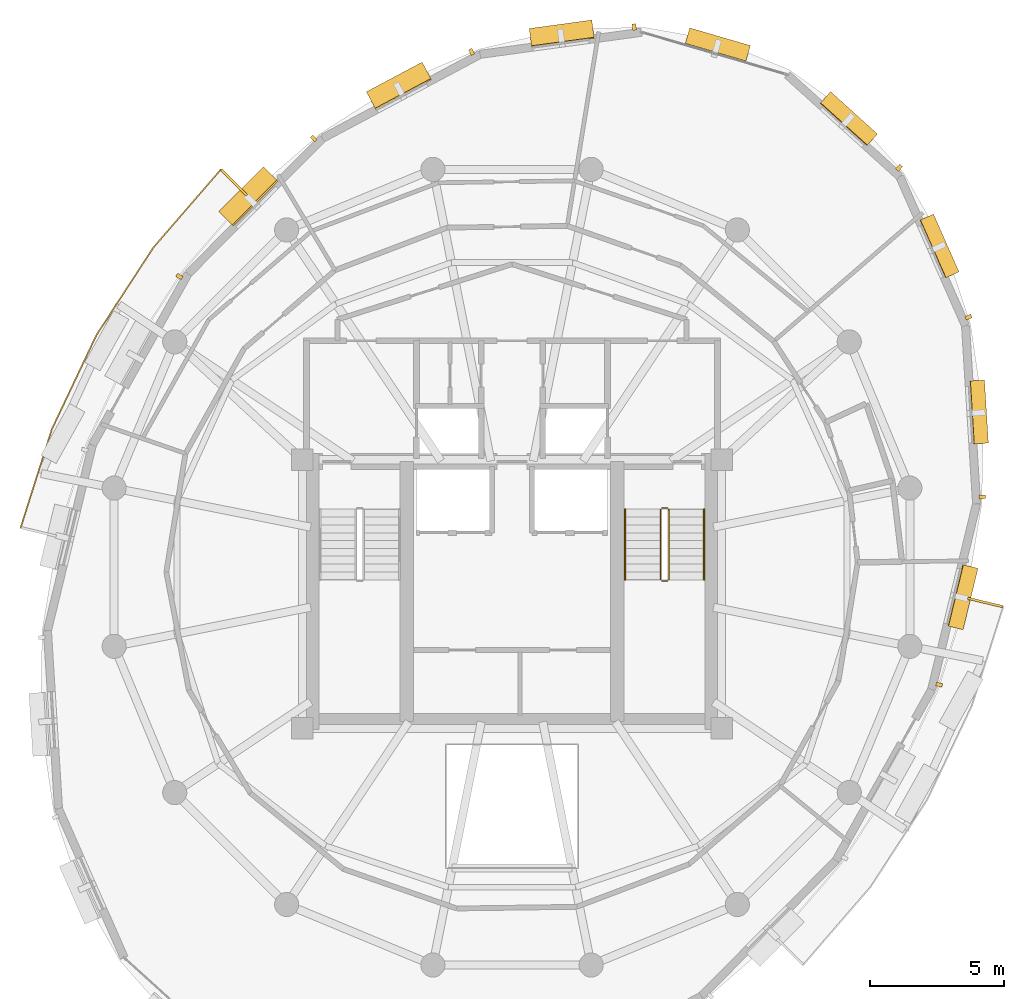
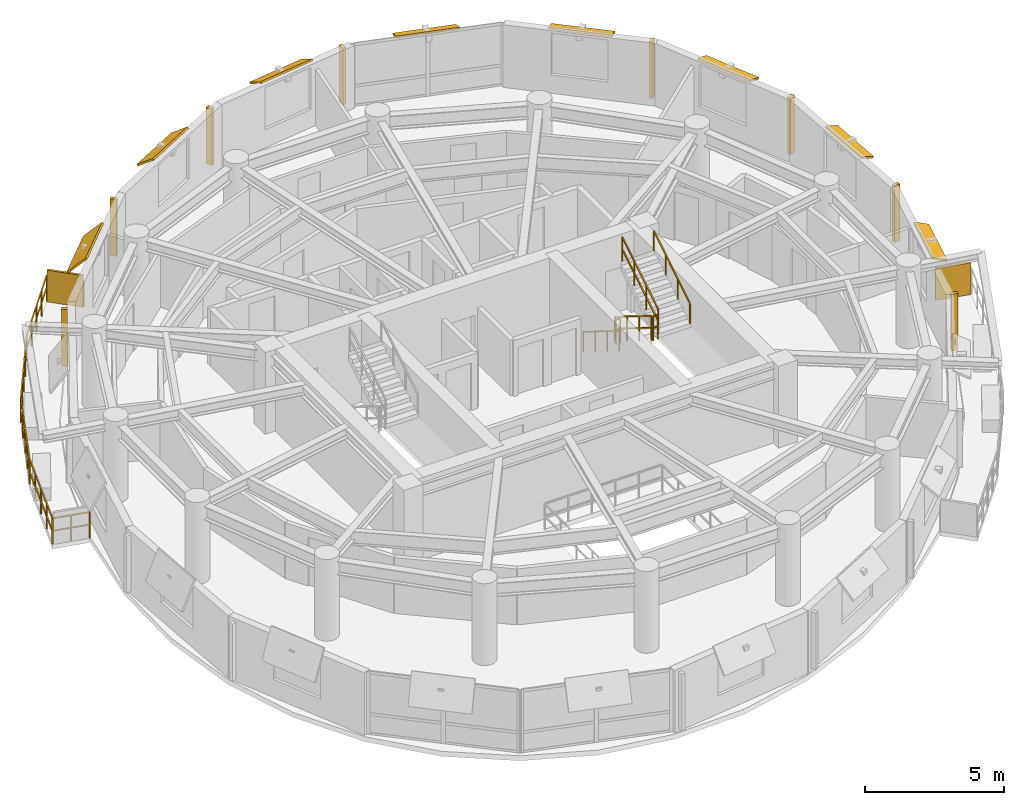
# One storey, part 11 of 11: 18 shading devices, 7 railings.
"""IFC4 building model written with IfcOpenShell, lengths in metres."""

from ifc_helpers import new_model, si_unit, direction, frame, origin, origin_2d, place, context, subcontext, project, spatial, rectangle, extrude, material, layer, layer_set, type_object, element, save


model = new_model("IFC4")

# Units and contexts
model_context = context("Model", 3, precision=1e-05, world=origin(), true_north=direction((0.0, 1.0)))
body_context = subcontext(model_context, "Body", "Model", "MODEL_VIEW")
ifc_project = project(units=[si_unit("LENGTHUNIT", "METRE"), si_unit("AREAUNIT", "SQUARE_METRE"), si_unit("VOLUMEUNIT", "CUBIC_METRE"), si_unit("PLANEANGLEUNIT", "RADIAN"), si_unit("MASSUNIT", "GRAM", prefix="KILO"), si_unit("THERMODYNAMICTEMPERATUREUNIT", "KELVIN"), si_unit("POWERUNIT", "WATT")], contexts=[model_context])

# Site, building, storey
site_placement = place(None, origin())
site = spatial("IfcSite", under=ifc_project, at=site_placement, CompositionType="ELEMENT")
building_placement = place(site_placement, origin())
building = spatial("IfcBuilding", under=site, at=building_placement, Name="Ocrelia Relay Tower", CompositionType="ELEMENT")
storey_placement = place(building_placement, frame((0.0, 0.0, 280.800048828125)))
storey = spatial("IfcBuildingStorey", under=building, at=storey_placement, Name="L70", CompositionType="ELEMENT", Elevation=280.800048828125)

# Railings
ifc_material_1 = material(Name="Steel S355 balustrade", Category="steel")
railing_type_1 = type_object("IfcRailingType", Name="RL-EXT-GUARD-1150", PredefinedType="GUARDRAIL", material=ifc_material_1)
railing_1_placement = place(storey_placement, frame((17.06298828125, 27.150146484375, 0.0)))
element("IfcRailing", 1, at=railing_1_placement, inside=storey, type_object=railing_type_1, Name="L70 Loggia Balcony Guard Rail B1", PredefinedType="GUARDRAIL", context=body_context, shape_type="SweptSolid", body=[
    extrude(rectangle(XDim=0.048095703125, YDim=0.048095703125, at=origin_2d()), frame((0.0, 0.0, 1.1259765625), z_axis=(-0.972307733932, 0.233704237309, 0.0), x_axis=(-0.233704237309, -0.972307733932, 0.0)), (0.0, 0.0, 1.0), 1.3935546875),
    extrude(rectangle(XDim=0.048095703125, YDim=0.048095703125, at=origin_2d()), frame((0.0, 0.0, 0.574951171875), z_axis=(-0.972307733932, 0.233704237309, 0.0), x_axis=(-0.233704237309, -0.972307733932, 0.0)), (0.0, 0.0, 1.0), 1.3935546875),
    extrude(rectangle(XDim=0.048095703125, YDim=0.048095703125, at=origin_2d()), frame((-1.35498046875, 0.32568359375, 1.1259765625), z_axis=(0.301624066086, 0.953426936245, 0.0), x_axis=(-0.953426936245, 0.301624066086, 0.0)), (0.0, 0.0, 1.0), 1.920654296875),
    extrude(rectangle(XDim=0.048095703125, YDim=0.048095703125, at=origin_2d()), frame((-1.35498046875, 0.32568359375, 0.574951171875), z_axis=(0.301624066086, 0.953426936245, 0.0), x_axis=(-0.953426936245, 0.301624066086, 0.0)), (0.0, 0.0, 1.0), 1.920654296875),
    extrude(rectangle(XDim=0.048095703125, YDim=0.048095703125, at=origin_2d()), frame((-0.775634765625, 2.156982421875, 1.1259765625), z_axis=(0.301739602294, 0.953390377761, 0.0), x_axis=(-0.953390377761, 0.301739602294, 0.0)), (0.0, 0.0, 1.0), 1.9208984375),
    extrude(rectangle(XDim=0.048095703125, YDim=0.048095703125, at=origin_2d()), frame((-0.775634765625, 2.156982421875, 0.574951171875), z_axis=(0.301739602294, 0.953390377761, 0.0), x_axis=(-0.953390377761, 0.301739602294, 0.0)), (0.0, 0.0, 1.0), 1.9208984375),
    extrude(rectangle(XDim=0.048095703125, YDim=0.048095703125, at=origin_2d()), frame((-0.196044921875, 3.98828125, 1.1259765625), z_axis=(0.428170151746, 0.90369813608, 0.0), x_axis=(-0.90369813608, 0.428170151746, 0.0)), (0.0, 0.0, 1.0), 3.8818359375),
    extrude(rectangle(XDim=0.048095703125, YDim=0.048095703125, at=origin_2d()), frame((-0.196044921875, 3.98828125, 0.574951171875), z_axis=(0.428170151746, 0.90369813608, 0.0), x_axis=(-0.90369813608, 0.428170151746, 0.0)), (0.0, 0.0, 1.0), 3.8818359375),
    extrude(rectangle(XDim=0.048095703125, YDim=0.048095703125, at=origin_2d()), frame((1.466064453125, 7.496337890625, 1.1259765625), z_axis=(0.545333158322, 0.838219390395, 0.0), x_axis=(-0.838219390395, 0.545333158322, 0.0)), (0.0, 0.0, 1.0), 3.8818359375),
    extrude(rectangle(XDim=0.048095703125, YDim=0.048095703125, at=origin_2d()), frame((1.466064453125, 7.496337890625, 0.574951171875), z_axis=(0.545333158322, 0.838219390395, 0.0), x_axis=(-0.838219390395, 0.545333158322, 0.0)), (0.0, 0.0, 1.0), 3.8818359375),
    extrude(rectangle(XDim=0.048095703125, YDim=0.048095703125, at=origin_2d()), frame((3.5830078125, 10.750244140625, 1.1259765625), z_axis=(0.654020237008, 0.756477051591, 0.0), x_axis=(-0.756477051591, 0.654020237008, 0.0)), (0.0, 0.0, 1.0), 1.920654296875),
    extrude(rectangle(XDim=0.048095703125, YDim=0.048095703125, at=origin_2d()), frame((3.5830078125, 10.750244140625, 0.574951171875), z_axis=(0.654020237008, 0.756477051591, 0.0), x_axis=(-0.756477051591, 0.654020237008, 0.0)), (0.0, 0.0, 1.0), 1.920654296875),
    extrude(rectangle(XDim=0.048095703125, YDim=0.048095703125, at=origin_2d()), frame((4.839111328125, 12.203125, 1.1259765625), z_axis=(0.65395734918, 0.75653141736, 0.0), x_axis=(-0.75653141736, 0.65395734918, 0.0)), (0.0, 0.0, 1.0), 1.920654296875),
    extrude(rectangle(XDim=0.048095703125, YDim=0.048095703125, at=origin_2d()), frame((4.839111328125, 12.203125, 0.574951171875), z_axis=(0.65395734918, 0.75653141736, 0.0), x_axis=(-0.75653141736, 0.65395734918, 0.0)), (0.0, 0.0, 1.0), 1.920654296875),
    extrude(rectangle(XDim=0.048095703125, YDim=0.048095703125, at=origin_2d()), frame((6.09521484375, 13.65625, 1.1259765625), z_axis=(0.70850698851, -0.705703795677, 0.0), x_axis=(0.705703795677, 0.70850698851, 0.0)), (0.0, 0.0, 1.0), 1.3935546875),
    extrude(rectangle(XDim=0.048095703125, YDim=0.048095703125, at=origin_2d()), frame((6.09521484375, 13.65625, 0.574951171875), z_axis=(0.70850698851, -0.705703795677, 0.0), x_axis=(0.705703795677, 0.70850698851, 0.0)), (0.0, 0.0, 1.0), 1.3935546875),
    extrude(rectangle(XDim=0.0419921875, YDim=0.0419921875, at=origin_2d()), origin(), (0.0, 0.0, 1.0), 1.101806640625),
    extrude(rectangle(XDim=0.0419921875, YDim=0.0419921875, at=origin_2d()), frame((-0.677490234375, 0.162841796875, 0.0)), (0.0, 0.0, 1.0), 1.101806640625),
    extrude(rectangle(XDim=0.0419921875, YDim=0.0419921875, at=origin_2d()), frame((-1.35498046875, 0.32568359375, 0.0)), (0.0, 0.0, 1.0), 1.101806640625),
    extrude(rectangle(XDim=0.0419921875, YDim=0.0419921875, at=origin_2d()), frame((-1.0654296875, 1.2412109375, 0.0)), (0.0, 0.0, 1.0), 1.101806640625),
    extrude(rectangle(XDim=0.0419921875, YDim=0.0419921875, at=origin_2d()), frame((-0.775634765625, 2.156982421875, 0.0)), (0.0, 0.0, 1.0), 1.101806640625),
    extrude(rectangle(XDim=0.0419921875, YDim=0.0419921875, at=origin_2d()), frame((-0.48583984375, 3.07275390625, 0.0)), (0.0, 0.0, 1.0), 1.101806640625),
    extrude(rectangle(XDim=0.0419921875, YDim=0.0419921875, at=origin_2d()), frame((-0.196044921875, 3.98828125, 0.0)), (0.0, 0.0, 1.0), 1.101806640625),
    extrude(rectangle(XDim=0.0419921875, YDim=0.0419921875, at=origin_2d()), frame((0.219482421875, 4.865234375, 0.0)), (0.0, 0.0, 1.0), 1.101806640625),
    extrude(rectangle(XDim=0.0419921875, YDim=0.0419921875, at=origin_2d()), frame((0.635009765625, 5.7421875, 0.0)), (0.0, 0.0, 1.0), 1.101806640625),
    extrude(rectangle(XDim=0.0419921875, YDim=0.0419921875, at=origin_2d()), frame((1.050537109375, 6.619384765625, 0.0)), (0.0, 0.0, 1.0), 1.101806640625),
    extrude(rectangle(XDim=0.0419921875, YDim=0.0419921875, at=origin_2d()), frame((1.466064453125, 7.496337890625, 0.0)), (0.0, 0.0, 1.0), 1.101806640625),
    extrude(rectangle(XDim=0.0419921875, YDim=0.0419921875, at=origin_2d()), frame((1.995361328125, 8.309814453125, 0.0)), (0.0, 0.0, 1.0), 1.101806640625),
    extrude(rectangle(XDim=0.0419921875, YDim=0.0419921875, at=origin_2d()), frame((2.5244140625, 9.123291015625, 0.0)), (0.0, 0.0, 1.0), 1.101806640625),
    extrude(rectangle(XDim=0.0419921875, YDim=0.0419921875, at=origin_2d()), frame((3.0537109375, 9.936767578125, 0.0)), (0.0, 0.0, 1.0), 1.101806640625),
    extrude(rectangle(XDim=0.0419921875, YDim=0.0419921875, at=origin_2d()), frame((3.5830078125, 10.750244140625, 0.0)), (0.0, 0.0, 1.0), 1.101806640625),
    extrude(rectangle(XDim=0.0419921875, YDim=0.0419921875, at=origin_2d()), frame((4.2109375, 11.4765625, 0.0)), (0.0, 0.0, 1.0), 1.101806640625),
    extrude(rectangle(XDim=0.0419921875, YDim=0.0419921875, at=origin_2d()), frame((4.839111328125, 12.203125, 0.0)), (0.0, 0.0, 1.0), 1.101806640625),
    extrude(rectangle(XDim=0.0419921875, YDim=0.0419921875, at=origin_2d()), frame((5.46728515625, 12.9296875, 0.0)), (0.0, 0.0, 1.0), 1.101806640625),
    extrude(rectangle(XDim=0.0419921875, YDim=0.0419921875, at=origin_2d()), frame((6.09521484375, 13.65625, 0.0)), (0.0, 0.0, 1.0), 1.101806640625),
    extrude(rectangle(XDim=0.0419921875, YDim=0.0419921875, at=origin_2d()), frame((6.5888671875, 13.16455078125, 0.0)), (0.0, 0.0, 1.0), 1.101806640625),
    extrude(rectangle(XDim=0.0419921875, YDim=0.0419921875, at=origin_2d()), frame((7.08251953125, 12.6728515625, 0.0)), (0.0, 0.0, 1.0), 1.101806640625),
])
railing_type_2 = type_object("IfcRailingType", Name="RL-STAIR-GUARD", PredefinedType="GUARDRAIL", material=ifc_material_1)
railing_2_placement = place(storey_placement, frame((39.530029296875, 28.14990234375, 0.179931640625)))
element("IfcRailing", 2, at=railing_2_placement, inside=storey, type_object=railing_type_2, Name="L70 ST2 stair guard 1", PredefinedType="GUARDRAIL", context=body_context, shape_type="SweptSolid", body=[
    extrude(rectangle(XDim=0.048095703125, YDim=0.048095703125, at=origin_2d()), frame((0.0, 0.0, 1.076171875), z_axis=(0.0, -0.849610693518, 0.52741034258), x_axis=(1.0, 0.0, 0.0)), (0.0, 0.0, 1.0), 3.07177734375),
    extrude(rectangle(XDim=0.048095703125, YDim=0.048095703125, at=origin_2d()), frame((0.0, 0.0, 0.550048828125), z_axis=(0.0, -0.849610693518, 0.52741034258), x_axis=(1.0, 0.0, 0.0)), (0.0, 0.0, 1.0), 3.07177734375),
    extrude(rectangle(XDim=0.0419921875, YDim=0.0419921875, at=origin_2d()), origin(), (0.0, 0.0, 1.0), 1.052001953125),
    extrude(rectangle(XDim=0.0419921875, YDim=0.0419921875, at=origin_2d()), frame((0.0, -0.869873046875, 0.5400390625)), (0.0, 0.0, 1.0), 1.052001953125),
    extrude(rectangle(XDim=0.0419921875, YDim=0.0419921875, at=origin_2d()), frame((0.0, -1.739990234375, 1.080078125)), (0.0, 0.0, 1.0), 1.052001953125),
    extrude(rectangle(XDim=0.0419921875, YDim=0.0419921875, at=origin_2d()), frame((0.0, -2.60986328125, 1.6201171875)), (0.0, 0.0, 1.0), 1.052001953125),
])
railing_3_placement = place(storey_placement, frame((39.580078125, 25.489990234375, 1.800048828125)))
element("IfcRailing", 3, at=railing_3_placement, inside=storey, type_object=railing_type_2, Name="L70 ST2 stair guard 2", PredefinedType="GUARDRAIL", context=body_context, shape_type="SweptSolid", body=[
    extrude(rectangle(XDim=0.048095703125, YDim=0.048095703125, at=origin_2d()), frame((0.0, 0.0, 1.076171875), z_axis=(1.0, 0.0, 0.0), x_axis=(0.0, 1.0, 0.0)), (0.0, 0.0, 1.0), 0.199951171875),
    extrude(rectangle(XDim=0.048095703125, YDim=0.048095703125, at=origin_2d()), frame((0.0, 0.0, 0.550048828125), z_axis=(1.0, 0.0, 0.0), x_axis=(0.0, 1.0, 0.0)), (0.0, 0.0, 1.0), 0.199951171875),
    extrude(rectangle(XDim=0.0419921875, YDim=0.0419921875, at=origin_2d()), origin(), (0.0, 0.0, 1.0), 1.052001953125),
    extrude(rectangle(XDim=0.0419921875, YDim=0.0419921875, at=origin_2d()), frame((0.199951171875, 0.0, 0.0)), (0.0, 0.0, 1.0), 1.052001953125),
])
railing_4_placement = place(storey_placement, frame((39.830078125, 25.5400390625, 1.97998046875)))
element("IfcRailing", 4, at=railing_4_placement, inside=storey, type_object=railing_type_2, Name="L70 ST2 stair guard 3", PredefinedType="GUARDRAIL", context=body_context, shape_type="SweptSolid", body=[
    extrude(rectangle(XDim=0.048095703125, YDim=0.048095703125, at=origin_2d()), frame((0.0, 0.0, 1.076171875), z_axis=(0.0, 0.849646306263, 0.527352969322), x_axis=(-1.0, 0.0, 0.0)), (0.0, 0.0, 1.0), 3.07177734375),
    extrude(rectangle(XDim=0.048095703125, YDim=0.048095703125, at=origin_2d()), frame((0.0, 0.0, 0.550048828125), z_axis=(0.0, 0.849646306263, 0.527352969322), x_axis=(-1.0, 0.0, 0.0)), (0.0, 0.0, 1.0), 3.07177734375),
    extrude(rectangle(XDim=0.0419921875, YDim=0.0419921875, at=origin_2d()), origin(), (0.0, 0.0, 1.0), 1.052001953125),
    extrude(rectangle(XDim=0.0419921875, YDim=0.0419921875, at=origin_2d()), frame((0.0, 0.869873046875, 0.5400390625)), (0.0, 0.0, 1.0), 1.052001953125),
    extrude(rectangle(XDim=0.0419921875, YDim=0.0419921875, at=origin_2d()), frame((0.0, 1.739990234375, 1.079833984375)), (0.0, 0.0, 1.0), 1.052001953125),
    extrude(rectangle(XDim=0.0419921875, YDim=0.0419921875, at=origin_2d()), frame((0.0, 2.60986328125, 1.619873046875)), (0.0, 0.0, 1.0), 1.052001953125),
])
railing_5_placement = place(storey_placement, frame((39.580078125, 28.199951171875, 0.0)))
element("IfcRailing", 5, at=railing_5_placement, inside=storey, type_object=railing_type_2, Name="L70 ST2 stair guard 4", PredefinedType="GUARDRAIL", context=body_context, shape_type="SweptSolid", body=[
    extrude(rectangle(XDim=0.048095703125, YDim=0.048095703125, at=origin_2d()), frame((0.0, 0.0, 1.076171875), z_axis=(1.0, 0.0, 0.0), x_axis=(0.0, 1.0, 0.0)), (0.0, 0.0, 1.0), 0.199951171875),
    extrude(rectangle(XDim=0.048095703125, YDim=0.048095703125, at=origin_2d()), frame((0.0, 0.0, 0.550048828125), z_axis=(1.0, 0.0, 0.0), x_axis=(0.0, 1.0, 0.0)), (0.0, 0.0, 1.0), 0.199951171875),
    extrude(rectangle(XDim=0.0419921875, YDim=0.0419921875, at=origin_2d()), origin(), (0.0, 0.0, 1.0), 1.052001953125),
    extrude(rectangle(XDim=0.0419921875, YDim=0.0419921875, at=origin_2d()), frame((0.199951171875, 0.0, 0.0)), (0.0, 0.0, 1.0), 1.052001953125),
])
ifc_material_2 = material(Name="Steel S355 tubular handrail", Category="steel")
railing_type_3 = type_object("IfcRailingType", Name="RL-STAIR-HAND", PredefinedType="HANDRAIL", material=ifc_material_2)
railing_6_placement = place(storey_placement, frame((38.2099609375, 28.14990234375, 0.179931640625)))
element("IfcRailing", 6, at=railing_6_placement, inside=storey, type_object=railing_type_3, Name="L70 ST2 stair handrail 1", PredefinedType="HANDRAIL", context=body_context, shape_type="SweptSolid", body=[
    extrude(rectangle(XDim=0.048095703125, YDim=0.048095703125, at=origin_2d()), frame((0.0, 0.0, 0.8759765625), z_axis=(0.0, -0.849610693518, 0.52741034258), x_axis=(1.0, 0.0, 0.0)), (0.0, 0.0, 1.0), 3.07177734375),
    extrude(rectangle(XDim=0.0419921875, YDim=0.0419921875, at=origin_2d()), origin(), (0.0, 0.0, 1.0), 0.851806640625),
    extrude(rectangle(XDim=0.0419921875, YDim=0.0419921875, at=origin_2d()), frame((0.0, -0.869873046875, 0.5400390625)), (0.0, 0.0, 1.0), 0.851806640625),
    extrude(rectangle(XDim=0.0419921875, YDim=0.0419921875, at=origin_2d()), frame((0.0, -1.739990234375, 1.080078125)), (0.0, 0.0, 1.0), 0.851806640625),
    extrude(rectangle(XDim=0.0419921875, YDim=0.0419921875, at=origin_2d()), frame((0.0, -2.60986328125, 1.6201171875)), (0.0, 0.0, 1.0), 0.851806640625),
])
railing_7_placement = place(storey_placement, frame((41.14990234375, 25.5400390625, 1.97998046875)))
element("IfcRailing", 7, at=railing_7_placement, inside=storey, type_object=railing_type_3, Name="L70 ST2 stair handrail 2", PredefinedType="HANDRAIL", context=body_context, shape_type="SweptSolid", body=[
    extrude(rectangle(XDim=0.048095703125, YDim=0.048095703125, at=origin_2d()), frame((0.0, 0.0, 0.8759765625), z_axis=(0.0, 0.849646306263, 0.527352969322), x_axis=(-1.0, 0.0, 0.0)), (0.0, 0.0, 1.0), 3.07177734375),
    extrude(rectangle(XDim=0.0419921875, YDim=0.0419921875, at=origin_2d()), origin(), (0.0, 0.0, 1.0), 0.851806640625),
    extrude(rectangle(XDim=0.0419921875, YDim=0.0419921875, at=origin_2d()), frame((0.0, 0.869873046875, 0.5400390625)), (0.0, 0.0, 1.0), 0.851806640625),
    extrude(rectangle(XDim=0.0419921875, YDim=0.0419921875, at=origin_2d()), frame((0.0, 1.739990234375, 1.079833984375)), (0.0, 0.0, 1.0), 0.851806640625),
    extrude(rectangle(XDim=0.0419921875, YDim=0.0419921875, at=origin_2d()), frame((0.0, 2.60986328125, 1.619873046875)), (0.0, 0.0, 1.0), 0.851806640625),
])

# Shading devices
ifc_material_3 = material(Name="Perforated oxide terracotta solar screen", Category="masonry")
ifc_layer_1 = layer(ifc_material_3, 0.090087890625, Name="Perforated oxide terracotta solar screen")
ifc_layer_set_1 = layer_set([ifc_layer_1], Name="Perforated oxide terracotta solar screen")
shading_device_type_1 = type_object("IfcShadingDeviceType", Name="SH-BALC-SCREEN", PredefinedType="USERDEFINED", material=ifc_layer_set_1)
for number, where, z_axis, x_axis, name in (
    (8, (23.65185546875, 40.314697265625, 0.0), (0.0, 0.0, 1.0), (-0.70857636851, 0.705634133237, 0.0), "L70 Balcony Perforated Terracotta Screen B1-1"),
    (9, (51.614501953125, 24.68701171875, 0.0), (0.0, 0.0, 1.0), (0.972285594058, -0.233796329287, 0.0), "L70 Balcony Perforated Terracotta Screen B2-2"),
):
    element("IfcShadingDevice", number, at=place(storey_placement, frame(where, z_axis=z_axis, x_axis=x_axis)), inside=storey, type_object=shading_device_type_1, Name=name, ObjectType="SCREEN", PredefinedType="USERDEFINED", context=body_context, shape_type="SweptSolid", body=[
        extrude(rectangle(XDim=1.340087890625, YDim=0.090087890625, at=origin_2d()), origin(), (0.0, 0.0, 1.0), 1.39990234375),
    ])
ifc_material_4 = material(Name="Extruded oxide terracotta vertical baguette", Category="masonry")
shading_device_type_2 = type_object("IfcShadingDeviceType", Name="SH-TERR-BAGUETTE", PredefinedType="USERDEFINED", material=ifc_material_4)
for number, where, z_axis, x_axis, name in (
    (10, (38.551513671875, 46.107666015625, 0.1298828125), (0.0, 0.0, 1.0), (-0.990788159236, -0.135420912406, 0.0), "L70 Oxide Terracotta Vertical Baguette 02"),
    (11, (32.494384765625, 45.181396484375, 0.1298828125), (0.0, 0.0, 1.0), (-0.882567448282, -0.470185813518, 0.0), "L70 Oxide Terracotta Vertical Baguette 03"),
    (12, (26.619140625, 41.959716796875, 0.1298828125), (0.0, 0.0, 1.0), (-0.704530158963, -0.709674048498, 0.0), "L70 Oxide Terracotta Vertical Baguette 04"),
    (13, (21.62060546875, 36.821044921875, 0.1298828125), (0.0, 0.0, 1.0), (-0.487863765582, -0.872919782244, 0.0), "L70 Oxide Terracotta Vertical Baguette 05"),
    (14, (49.899658203125, 21.627197265625, 0.1298828125), (0.0, 0.0, 1.0), (0.235283443426, 0.971926798298, 0.0), "L70 Oxide Terracotta Vertical Baguette 15"),
    (15, (51.50830078125, 28.6171875, 0.1298828125), (0.0, 0.0, 1.0), (-0.061989356526, 0.99807681051, 0.0), "L70 Oxide Terracotta Vertical Baguette 16"),
    (16, (50.995361328125, 35.30615234375, 0.1298828125), (0.0, 0.0, 1.0), (-0.403821339218, 0.914837868692, 0.0), "L70 Oxide Terracotta Vertical Baguette 17"),
    (17, (48.410400390625, 40.87109375, 0.1298828125), (0.0, 0.0, 1.0), (-0.741355880595, 0.671112105618, 0.0), "L70 Oxide Terracotta Vertical Baguette 18"),
):
    element("IfcShadingDevice", number, at=place(storey_placement, frame(where, z_axis=z_axis, x_axis=x_axis)), inside=storey, type_object=shading_device_type_2, Name=name, ObjectType="BAGUETTE", PredefinedType="USERDEFINED", context=body_context, shape_type="SweptSolid", body=[
        extrude(rectangle(XDim=0.139892578125, YDim=0.239990234375, at=origin_2d()), origin(), (0.0, 0.0, 1.0), 2.5),
    ])
ifc_material_5 = material(Name="Extruded oxide terracotta fin", Category="masonry")
ifc_layer_2 = layer(ifc_material_5, 0.080078125, Name="Extruded oxide terracotta fin")
ifc_layer_set_2 = layer_set([ifc_layer_2], Name="Extruded oxide terracotta fin")
shading_device_type_3 = type_object("IfcShadingDeviceType", Name="SH-VISOR-FIN-MED", PredefinedType="USERDEFINED", material=ifc_layer_set_2)
shading_device_1_placement = place(storey_placement, frame((29.80224609375, 43.90087890625, 2.56787109375), z_axis=(-0.283619838438, 0.532371734528, 0.797583928825), x_axis=(-0.882567448282, -0.470185813518, 0.0)))
element("IfcShadingDevice", 18, at=shading_device_1_placement, inside=storey, type_object=shading_device_type_3, Name="L70 Canted Terracotta Sun-Visor Fin 03", ObjectType="FIN", PredefinedType="USERDEFINED", context=body_context, shape_type="SweptSolid", body=[
    extrude(rectangle(XDim=2.35009765625, YDim=0.867919921875, at=origin_2d()), origin(), (0.0, 0.0, 1.0), 0.080078125),
])
shading_device_2_placement = place(storey_placement, frame((24.20703125, 39.786376953125, 2.572265625), z_axis=(-0.513327672196, 0.509606948792, 0.690503771677), x_axis=(-0.704530158963, -0.709674048498, 0.0)))
element("IfcShadingDevice", 19, at=shading_device_2_placement, inside=storey, type_object=shading_device_type_3, Name="L70 Canted Terracotta Sun-Visor Fin 04", ObjectType="FIN", PredefinedType="USERDEFINED", context=body_context, shape_type="SweptSolid", body=[
    extrude(rectangle(XDim=2.35009765625, YDim=1.02197265625, at=origin_2d()), origin(), (0.0, 0.0, 1.0), 0.080078125),
])
ifc_layer_3 = layer(ifc_material_5, 0.080078125, Name="Extruded oxide terracotta fin")
ifc_layer_set_3 = layer_set([ifc_layer_3], Name="Extruded oxide terracotta fin")
shading_device_type_4 = type_object("IfcShadingDeviceType", Name="SH-VISOR-FIN-SHAL", PredefinedType="USERDEFINED", material=ifc_layer_set_3)
shading_device_3_placement = place(storey_placement, frame((41.654541015625, 45.426513671875, 2.5634765625), z_axis=(0.11642566792, 0.399503017761, 0.909308749903), x_axis=(-0.960062018454, 0.279787277627, 0.0)))
element("IfcShadingDevice", 20, at=shading_device_3_placement, inside=storey, type_object=shading_device_type_4, Name="L70 Canted Terracotta Sun-Visor Fin 01", ObjectType="FIN", PredefinedType="USERDEFINED", context=body_context, shape_type="SweptSolid", body=[
    extrude(rectangle(XDim=2.35009765625, YDim=0.659912109375, at=origin_2d()), origin(), (0.0, 0.0, 1.0), 0.080078125),
])
shading_device_4_placement = place(storey_placement, frame((35.8544921875, 45.849853515625, 2.565185546875), z_axis=(-0.067464681512, 0.493595903478, 0.867070701164), x_axis=(-0.990788159236, -0.135420912406, 0.0)))
element("IfcShadingDevice", 21, at=shading_device_4_placement, inside=storey, type_object=shading_device_type_4, Name="L70 Canted Terracotta Sun-Visor Fin 02", ObjectType="FIN", PredefinedType="USERDEFINED", context=body_context, shape_type="SweptSolid", body=[
    extrude(rectangle(XDim=2.35009765625, YDim=0.748046875, at=origin_2d()), origin(), (0.0, 0.0, 1.0), 0.080078125),
])
shading_device_5_placement = place(storey_placement, frame((50.769775390625, 24.887451171875, 2.5625), z_axis=(0.347832267309, -0.084203022008, 0.933767939535), x_axis=(0.235283443426, 0.971926798298, 0.0)))
element("IfcShadingDevice", 22, at=shading_device_5_placement, inside=storey, type_object=shading_device_type_4, Name="L70 Canted Terracotta Sun-Visor Fin 15", ObjectType="FIN", PredefinedType="USERDEFINED", context=body_context, shape_type="SweptSolid", body=[
    extrude(rectangle(XDim=2.35009765625, YDim=0.59912109375, at=origin_2d()), origin(), (0.0, 0.0, 1.0), 0.080078125),
])
shading_device_6_placement = place(storey_placement, frame((51.374267578125, 31.777099609375, 2.561767578125), z_axis=(0.311072233232, 0.019320324216, 0.950189870912), x_axis=(-0.061989356526, 0.99807681051, 0.0)))
element("IfcShadingDevice", 23, at=shading_device_6_placement, inside=storey, type_object=shading_device_type_4, Name="L70 Canted Terracotta Sun-Visor Fin 16", ObjectType="FIN", PredefinedType="USERDEFINED", context=body_context, shape_type="SweptSolid", body=[
    extrude(rectangle(XDim=2.35009765625, YDim=0.552978515625, at=origin_2d()), origin(), (0.0, 0.0, 1.0), 0.080078125),
])
shading_device_7_placement = place(storey_placement, frame((49.899169921875, 37.95166015625, 2.561767578125), z_axis=(0.290585134304, 0.12826805941, 0.948212837214), x_axis=(-0.403821339218, 0.914837868692, 0.0)))
element("IfcShadingDevice", 24, at=shading_device_7_placement, inside=storey, type_object=shading_device_type_4, Name="L70 Canted Terracotta Sun-Visor Fin 17", ObjectType="FIN", PredefinedType="USERDEFINED", context=body_context, shape_type="SweptSolid", body=[
    extrude(rectangle(XDim=2.35009765625, YDim=0.55908203125, at=origin_2d()), origin(), (0.0, 0.0, 1.0), 0.080078125),
])
shading_device_8_placement = place(storey_placement, frame((46.5263671875, 42.6865234375, 2.5625), z_axis=(0.238645040223, 0.263623472834, 0.93463961469), x_axis=(-0.741355880595, 0.671112105618, 0.0)))
element("IfcShadingDevice", 25, at=shading_device_8_placement, inside=storey, type_object=shading_device_type_4, Name="L70 Canted Terracotta Sun-Visor Fin 18", ObjectType="FIN", PredefinedType="USERDEFINED", context=body_context, shape_type="SweptSolid", body=[
    extrude(rectangle(XDim=2.35009765625, YDim=0.596923828125, at=origin_2d()), origin(), (0.0, 0.0, 1.0), 0.080078125),
])

save(model, "model.ifc")
